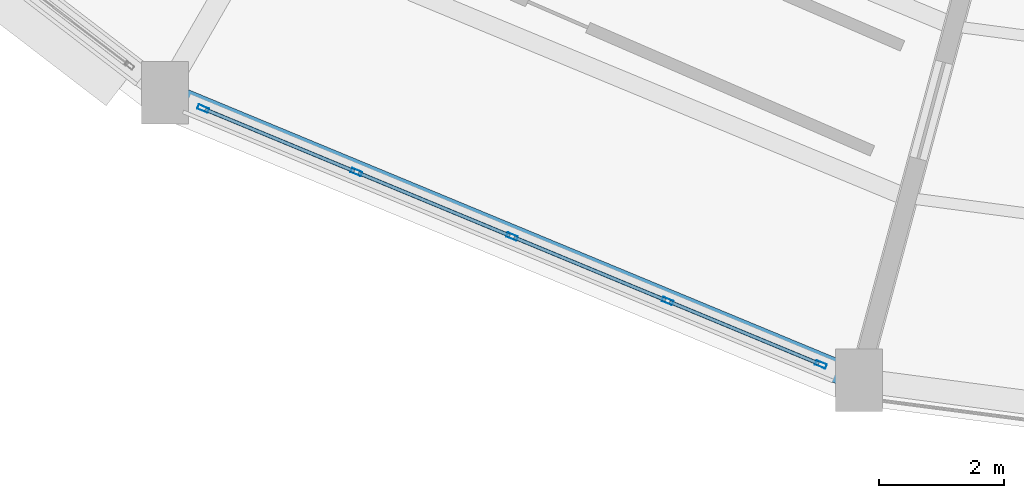
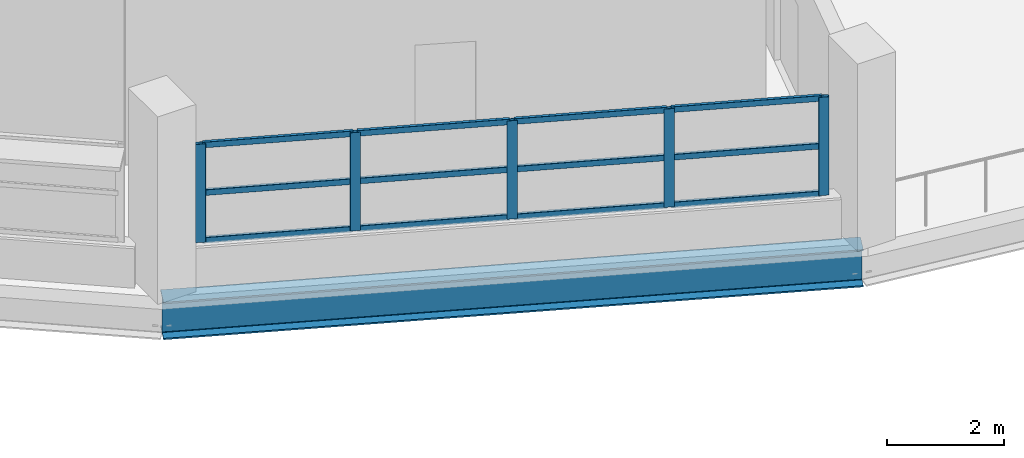
# One storey, part 3 of 53: 17 members, 1 beam, 1 element without a shape of its own.
"""IFC4 building model written with IfcOpenShell, lengths in metres."""

from ifc_helpers import new_model, si_unit, direction, frame, origin, origin_2d, place, context, subcontext, project, spatial, hollow_rectangle, i_section, extrude, material, layer, layer_set, material_profile, profile_set, type_object, element, aggregate, save


model = new_model("IFC4")

# Units and contexts
model_context = context("Model", 3, precision=1e-05, world=origin(), true_north=direction((0.0, 1.0)))
body_context = subcontext(model_context, "Body", "Model", "MODEL_VIEW")
ifc_project = project(units=[si_unit("LENGTHUNIT", "METRE"), si_unit("AREAUNIT", "SQUARE_METRE"), si_unit("VOLUMEUNIT", "CUBIC_METRE"), si_unit("PLANEANGLEUNIT", "RADIAN"), si_unit("MASSUNIT", "GRAM", prefix="KILO")], contexts=[model_context])

# Site, building, storey
site_placement = place(None, origin())
site = spatial("IfcSite", under=ifc_project, at=site_placement, CompositionType="ELEMENT")
building_placement = place(site_placement, origin())
building = spatial("IfcBuilding", under=site, at=building_placement, Name="Vespera Passage Community Centre", CompositionType="ELEMENT")
storey_placement = place(building_placement, frame((0.0, 0.0, 20.39990234375)))
storey = spatial("IfcBuildingStorey", under=building, at=storey_placement, Name="L05", CompositionType="ELEMENT", Elevation=20.39990234375)

# Beam
ifc_material_1 = material(Name="Steel ASTM A992 Grade 50", Category="steel")
ifc_material_profile_1 = material_profile(ifc_material_1, i_section(OverallWidth=0.382080078125, OverallDepth=0.779296875, WebThickness=0.01806640625, FlangeThickness=0.030029296875, FilletRadius=0.0166015625, at=origin_2d()), Name="W30X191")
ifc_profile_set_1 = profile_set([ifc_material_profile_1], Name="Steel ASTM A992 Grade 50")
beam_type = type_object("IfcBeamType", Name="BM-SP-W30X191E", PredefinedType="SPANDREL", material=ifc_profile_set_1)
beam_placement = place(storey_placement, frame((54.949951171875, 25.576171875, -0.649658203125), z_axis=(0.923877379647, -0.382688629799, 0.0), x_axis=(0.382688629799, 0.923877379647, 0.0)))
element("IfcBeam", 1, at=beam_placement, inside=storey, type_object=beam_type, Name="V4 L05 Outer Spandrel 16", PredefinedType="SPANDREL", context=body_context, shape_type="SweptSolid", body=[
    extrude(i_section(OverallWidth=0.382080078125, OverallDepth=0.779296875, WebThickness=0.01806640625, FlangeThickness=0.030029296875, FilletRadius=0.0166015625, at=origin_2d()), origin(), (0.0, 0.0, 1.0), 12.034423828125),
])

# Curtain wall, members
ifc_material_2 = material(Name="Anodized aluminium 6063-T6", Category="aluminium")
ifc_layer = layer(ifc_material_2, 0.159912109375)
ifc_layer_set = layer_set([ifc_layer], Name="Anodized aluminium 6063-T6")
curtain_wall_type = type_object("IfcCurtainWallType", Name="CW-71E", PredefinedType="NOTDEFINED", material=ifc_layer_set)
curtain_wall_placement = place(storey_placement, origin())
curtain_wall = element("IfcCurtainWall", 2, at=curtain_wall_placement, inside=storey, type_object=curtain_wall_type, Name="V4 L05 Outer Ribbon Curtain Wall 16", PredefinedType="NOTDEFINED")
ifc_material_3 = material(Name="Anodized aluminium 6063-T6", Category="aluminium")
ifc_material_profile_2 = material_profile(ifc_material_3, hollow_rectangle(XDim=0.074951171875, YDim=0.179931640625, WallThickness=0.0048828125, InnerFilletRadius=0.00244140625, OuterFilletRadius=0.0048828125, at=origin_2d()), Name="ALU180X75X5")
ifc_profile_set_2 = profile_set([ifc_material_profile_2], Name="Anodized aluminium 6063-T6")
member_type_1 = type_object("IfcMemberType", Name="MB-CWM-180E", PredefinedType="MULLION", material=ifc_profile_set_2)
member_1_placement = place(storey_placement, frame((65.460205078125, 21.22265625, 0.820068359375), z_axis=(0.0, 0.0, 1.0), x_axis=(-0.382682936255, -0.923879738007, 0.0)))
member_1 = element("IfcMember", 3, at=member_1_placement, type_object=member_type_1, Name="CW-71E mullion 1", PredefinedType="MULLION", context=body_context, shape_type="SweptSolid", body=[
    extrude(hollow_rectangle(XDim=0.074951171875, YDim=0.179931640625, WallThickness=0.0048828125, InnerFilletRadius=0.00244140625, OuterFilletRadius=0.0048828125, at=origin_2d()), origin(), (0.0, 0.0, 1.0), 2.0458984375),
])
member_2_placement = place(storey_placement, frame((63.001953125, 22.240966796875, 0.820068359375), z_axis=(0.0, 0.0, 1.0), x_axis=(-0.382682936255, -0.923879738007, 0.0)))
member_2 = element("IfcMember", 4, at=member_2_placement, type_object=member_type_1, Name="CW-71E mullion 2", PredefinedType="MULLION", context=body_context, shape_type="SweptSolid", body=[
    extrude(hollow_rectangle(XDim=0.074951171875, YDim=0.179931640625, WallThickness=0.0048828125, InnerFilletRadius=0.00244140625, OuterFilletRadius=0.0048828125, at=origin_2d()), origin(), (0.0, 0.0, 1.0), 2.0458984375),
])
member_3_placement = place(storey_placement, frame((60.50927734375, 23.2734375, 0.820068359375), z_axis=(0.0, 0.0, 1.0), x_axis=(-0.382682936255, -0.923879738007, 0.0)))
member_3 = element("IfcMember", 5, at=member_3_placement, type_object=member_type_1, Name="CW-71E mullion 3", PredefinedType="MULLION", context=body_context, shape_type="SweptSolid", body=[
    extrude(hollow_rectangle(XDim=0.074951171875, YDim=0.179931640625, WallThickness=0.0048828125, InnerFilletRadius=0.00244140625, OuterFilletRadius=0.0048828125, at=origin_2d()), origin(), (0.0, 0.0, 1.0), 2.0458984375),
])
member_4_placement = place(storey_placement, frame((58.016357421875, 24.30615234375, 0.820068359375), z_axis=(0.0, 0.0, 1.0), x_axis=(-0.382682936255, -0.923879738007, 0.0)))
member_4 = element("IfcMember", 6, at=member_4_placement, type_object=member_type_1, Name="CW-71E mullion 4", PredefinedType="MULLION", context=body_context, shape_type="SweptSolid", body=[
    extrude(hollow_rectangle(XDim=0.074951171875, YDim=0.179931640625, WallThickness=0.0048828125, InnerFilletRadius=0.00244140625, OuterFilletRadius=0.0048828125, at=origin_2d()), origin(), (0.0, 0.0, 1.0), 2.0458984375),
])
member_5_placement = place(storey_placement, frame((55.558349609375, 25.32421875, 0.820068359375), z_axis=(0.0, 0.0, 1.0), x_axis=(-0.382682936255, -0.923879738007, 0.0)))
member_5 = element("IfcMember", 7, at=member_5_placement, type_object=member_type_1, Name="CW-71E mullion 5", PredefinedType="MULLION", context=body_context, shape_type="SweptSolid", body=[
    extrude(hollow_rectangle(XDim=0.074951171875, YDim=0.179931640625, WallThickness=0.0048828125, InnerFilletRadius=0.00244140625, OuterFilletRadius=0.0048828125, at=origin_2d()), origin(), (0.0, 0.0, 1.0), 2.0458984375),
])
ifc_material_4 = material(Name="Anodized aluminium 6063-T6", Category="aluminium")
ifc_material_profile_3 = material_profile(ifc_material_4, hollow_rectangle(XDim=0.06005859375, YDim=0.1201171875, WallThickness=0.00390625, InnerFilletRadius=0.001953125, OuterFilletRadius=0.00390625, at=origin_2d()), Name="ALU120X60X4")
ifc_profile_set_3 = profile_set([ifc_material_profile_3], Name="Anodized aluminium 6063-T6")
member_type_2 = type_object("IfcMemberType", Name="MB-CWT-120E", PredefinedType="USERDEFINED", material=ifc_profile_set_3)
member_6_placement = place(storey_placement, frame((65.425537109375, 21.237060546875, 0.85009765625), z_axis=(-0.923882193286, 0.382677008624, 0.0), x_axis=(-0.382677008624, -0.923882193286, 0.0)))
member_6 = element("IfcMember", 8, at=member_6_placement, type_object=member_type_2, Name="CW-71E transom 1.1", ObjectType="TRANSOM", PredefinedType="USERDEFINED", context=body_context, shape_type="SweptSolid", body=[
    extrude(hollow_rectangle(XDim=0.06005859375, YDim=0.1201171875, WallThickness=0.00390625, InnerFilletRadius=0.001953125, OuterFilletRadius=0.00390625, at=origin_2d()), origin(), (0.0, 0.0, 1.0), 2.585693359375),
])
member_7_placement = place(storey_placement, frame((65.425537109375, 21.237060546875, 1.843017578125), z_axis=(-0.923882193286, 0.382677008624, 0.0), x_axis=(-0.382677008624, -0.923882193286, 0.0)))
member_7 = element("IfcMember", 9, at=member_7_placement, type_object=member_type_2, Name="CW-71E transom 1.2", ObjectType="TRANSOM", PredefinedType="USERDEFINED", context=body_context, shape_type="SweptSolid", body=[
    extrude(hollow_rectangle(XDim=0.06005859375, YDim=0.1201171875, WallThickness=0.00390625, InnerFilletRadius=0.001953125, OuterFilletRadius=0.00390625, at=origin_2d()), origin(), (0.0, 0.0, 1.0), 2.585693359375),
])
member_8_placement = place(storey_placement, frame((65.425537109375, 21.237060546875, 2.8359375), z_axis=(-0.923882193286, 0.382677008624, 0.0), x_axis=(-0.382677008624, -0.923882193286, 0.0)))
member_8 = element("IfcMember", 10, at=member_8_placement, type_object=member_type_2, Name="CW-71E transom 1.3", ObjectType="TRANSOM", PredefinedType="USERDEFINED", context=body_context, shape_type="SweptSolid", body=[
    extrude(hollow_rectangle(XDim=0.06005859375, YDim=0.1201171875, WallThickness=0.00390625, InnerFilletRadius=0.001953125, OuterFilletRadius=0.00390625, at=origin_2d()), origin(), (0.0, 0.0, 1.0), 2.585693359375),
])
member_9_placement = place(storey_placement, frame((62.96728515625, 22.25537109375, 0.85009765625), z_axis=(-0.92389545334, 0.382644993822, 0.0), x_axis=(-0.382644993822, -0.92389545334, 0.0)))
member_9 = element("IfcMember", 11, at=member_9_placement, type_object=member_type_2, Name="CW-71E transom 2.1", ObjectType="TRANSOM", PredefinedType="USERDEFINED", context=body_context, shape_type="SweptSolid", body=[
    extrude(hollow_rectangle(XDim=0.06005859375, YDim=0.1201171875, WallThickness=0.00390625, InnerFilletRadius=0.001953125, OuterFilletRadius=0.00390625, at=origin_2d()), origin(), (0.0, 0.0, 1.0), 2.623046875),
])
member_10_placement = place(storey_placement, frame((62.96728515625, 22.25537109375, 1.843017578125), z_axis=(-0.92389545334, 0.382644993822, 0.0), x_axis=(-0.382644993822, -0.92389545334, 0.0)))
member_10 = element("IfcMember", 12, at=member_10_placement, type_object=member_type_2, Name="CW-71E transom 2.2", ObjectType="TRANSOM", PredefinedType="USERDEFINED", context=body_context, shape_type="SweptSolid", body=[
    extrude(hollow_rectangle(XDim=0.06005859375, YDim=0.1201171875, WallThickness=0.00390625, InnerFilletRadius=0.001953125, OuterFilletRadius=0.00390625, at=origin_2d()), origin(), (0.0, 0.0, 1.0), 2.623046875),
])
member_11_placement = place(storey_placement, frame((62.96728515625, 22.25537109375, 2.8359375), z_axis=(-0.92389545334, 0.382644993822, 0.0), x_axis=(-0.382644993822, -0.92389545334, 0.0)))
member_11 = element("IfcMember", 13, at=member_11_placement, type_object=member_type_2, Name="CW-71E transom 2.3", ObjectType="TRANSOM", PredefinedType="USERDEFINED", context=body_context, shape_type="SweptSolid", body=[
    extrude(hollow_rectangle(XDim=0.06005859375, YDim=0.1201171875, WallThickness=0.00390625, InnerFilletRadius=0.001953125, OuterFilletRadius=0.00390625, at=origin_2d()), origin(), (0.0, 0.0, 1.0), 2.623046875),
])
member_12_placement = place(storey_placement, frame((60.474609375, 23.287841796875, 0.85009765625), z_axis=(-0.92387617736, 0.382691532316, 0.0), x_axis=(-0.382691532316, -0.92387617736, 0.0)))
member_12 = element("IfcMember", 14, at=member_12_placement, type_object=member_type_2, Name="CW-71E transom 3.1", ObjectType="TRANSOM", PredefinedType="USERDEFINED", context=body_context, shape_type="SweptSolid", body=[
    extrude(hollow_rectangle(XDim=0.06005859375, YDim=0.1201171875, WallThickness=0.00390625, InnerFilletRadius=0.001953125, OuterFilletRadius=0.00390625, at=origin_2d()), origin(), (0.0, 0.0, 1.0), 2.623291015625),
])
member_13_placement = place(storey_placement, frame((60.474609375, 23.287841796875, 1.843017578125), z_axis=(-0.92387617736, 0.382691532316, 0.0), x_axis=(-0.382691532316, -0.92387617736, 0.0)))
member_13 = element("IfcMember", 15, at=member_13_placement, type_object=member_type_2, Name="CW-71E transom 3.2", ObjectType="TRANSOM", PredefinedType="USERDEFINED", context=body_context, shape_type="SweptSolid", body=[
    extrude(hollow_rectangle(XDim=0.06005859375, YDim=0.1201171875, WallThickness=0.00390625, InnerFilletRadius=0.001953125, OuterFilletRadius=0.00390625, at=origin_2d()), origin(), (0.0, 0.0, 1.0), 2.623291015625),
])
member_14_placement = place(storey_placement, frame((60.474609375, 23.287841796875, 2.8359375), z_axis=(-0.92387617736, 0.382691532316, 0.0), x_axis=(-0.382691532316, -0.92387617736, 0.0)))
member_14 = element("IfcMember", 16, at=member_14_placement, type_object=member_type_2, Name="CW-71E transom 3.3", ObjectType="TRANSOM", PredefinedType="USERDEFINED", context=body_context, shape_type="SweptSolid", body=[
    extrude(hollow_rectangle(XDim=0.06005859375, YDim=0.1201171875, WallThickness=0.00390625, InnerFilletRadius=0.001953125, OuterFilletRadius=0.00390625, at=origin_2d()), origin(), (0.0, 0.0, 1.0), 2.623291015625),
])
member_15_placement = place(storey_placement, frame((57.981689453125, 24.3203125, 0.85009765625), z_axis=(-0.923882193286, 0.382677008624, 0.0), x_axis=(-0.382677008624, -0.923882193286, 0.0)))
member_15 = element("IfcMember", 17, at=member_15_placement, type_object=member_type_2, Name="CW-71E transom 4.1", ObjectType="TRANSOM", PredefinedType="USERDEFINED", context=body_context, shape_type="SweptSolid", body=[
    extrude(hollow_rectangle(XDim=0.06005859375, YDim=0.1201171875, WallThickness=0.00390625, InnerFilletRadius=0.001953125, OuterFilletRadius=0.00390625, at=origin_2d()), origin(), (0.0, 0.0, 1.0), 2.585693359375),
])
member_16_placement = place(storey_placement, frame((57.981689453125, 24.3203125, 1.843017578125), z_axis=(-0.923882193286, 0.382677008624, 0.0), x_axis=(-0.382677008624, -0.923882193286, 0.0)))
member_16 = element("IfcMember", 18, at=member_16_placement, type_object=member_type_2, Name="CW-71E transom 4.2", ObjectType="TRANSOM", PredefinedType="USERDEFINED", context=body_context, shape_type="SweptSolid", body=[
    extrude(hollow_rectangle(XDim=0.06005859375, YDim=0.1201171875, WallThickness=0.00390625, InnerFilletRadius=0.001953125, OuterFilletRadius=0.00390625, at=origin_2d()), origin(), (0.0, 0.0, 1.0), 2.585693359375),
])
member_17_placement = place(storey_placement, frame((57.981689453125, 24.3203125, 2.8359375), z_axis=(-0.923882193286, 0.382677008624, 0.0), x_axis=(-0.382677008624, -0.923882193286, 0.0)))
member_17 = element("IfcMember", 19, at=member_17_placement, type_object=member_type_2, Name="CW-71E transom 4.3", ObjectType="TRANSOM", PredefinedType="USERDEFINED", context=body_context, shape_type="SweptSolid", body=[
    extrude(hollow_rectangle(XDim=0.06005859375, YDim=0.1201171875, WallThickness=0.00390625, InnerFilletRadius=0.001953125, OuterFilletRadius=0.00390625, at=origin_2d()), origin(), (0.0, 0.0, 1.0), 2.585693359375),
])
aggregate(curtain_wall, [member_1, member_2, member_3, member_4, member_5, member_6, member_7, member_8, member_9, member_10, member_11, member_12, member_13, member_14, member_15, member_16, member_17])

save(model, "model.ifc")
